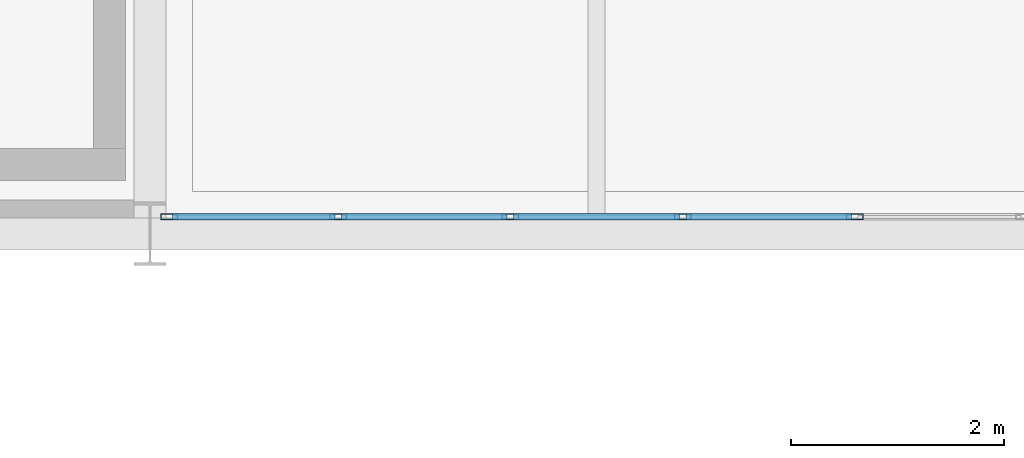
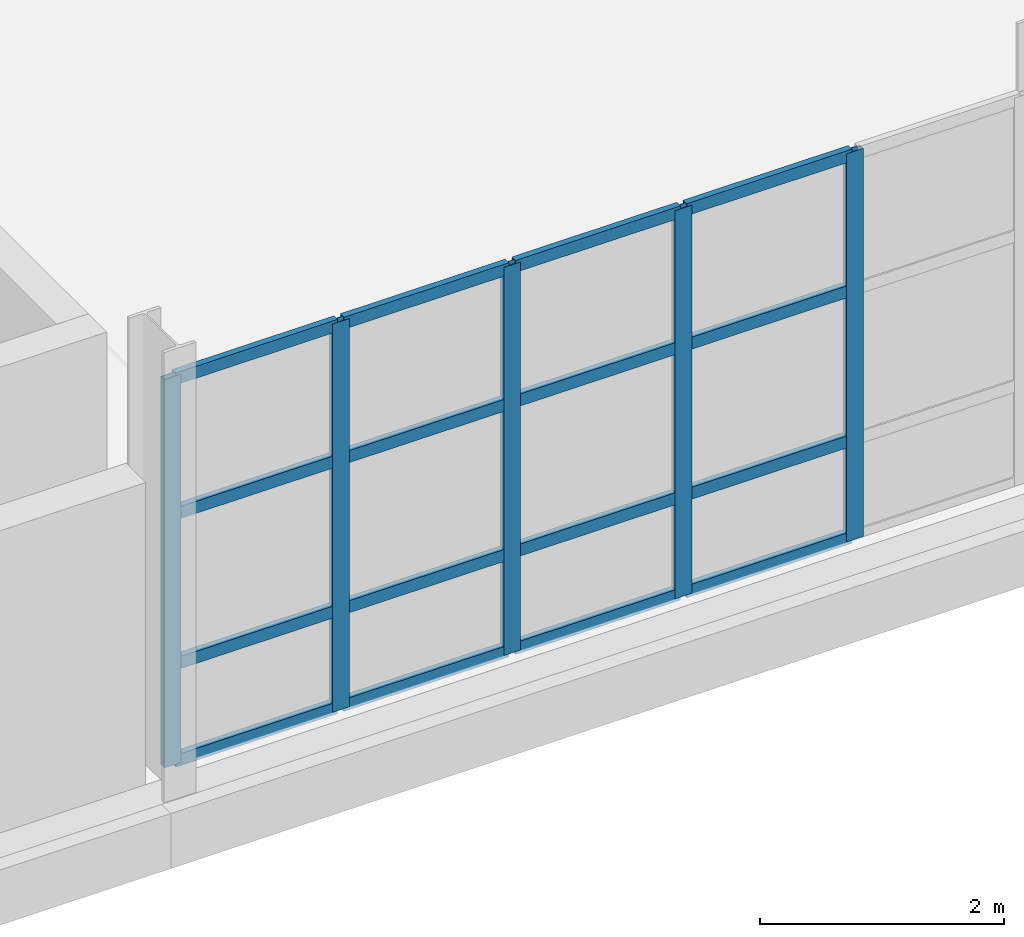
# One storey, part 51 of 130: 21 members, 1 element without a shape of its own.
"""IFC4 building model written with IfcOpenShell, lengths in metres."""

from ifc_helpers import new_model, si_unit, direction, frame, origin, origin_2d, place, context, subcontext, project, spatial, hollow_rectangle, extrude, material, material_profile, profile_set, type_object, element, aggregate, save


model = new_model("IFC4")

# Units and contexts
model_context = context("Model", 3, precision=1e-05, world=origin(), true_north=direction((0.0, 1.0)))
body_context = subcontext(model_context, "Body", "Model", "MODEL_VIEW")
ifc_project = project(units=[si_unit("LENGTHUNIT", "METRE"), si_unit("AREAUNIT", "SQUARE_METRE"), si_unit("VOLUMEUNIT", "CUBIC_METRE"), si_unit("PLANEANGLEUNIT", "RADIAN"), si_unit("MASSUNIT", "GRAM", prefix="KILO")], contexts=[model_context])

# Site, building, storey
site_placement = place(None, origin())
site = spatial("IfcSite", under=ifc_project, at=site_placement, CompositionType="ELEMENT")
building_placement = place(site_placement, origin())
building = spatial("IfcBuilding", under=site, at=building_placement, Name="Veltarok Museum of Natural Sciences", CompositionType="ELEMENT")
storey_placement = place(building_placement, frame((0.0, 0.0, 12.89990234375)))
storey = spatial("IfcBuildingStorey", under=building, at=storey_placement, Name="L02", CompositionType="ELEMENT", Elevation=12.89990234375)

# Curtain wall, members
ifc_material_1 = material(Name="Low-iron triple insulated glass", Category="glass")
curtain_wall_type = type_object("IfcCurtainWallType", Name="Curtain Wall System CW-V5S-L02-14-810x388 (V5 South Lab Curtain Wall L02 14-15 810x388cm)", PredefinedType="NOTDEFINED", material=ifc_material_1)
curtain_wall_placement = place(storey_placement, origin())
curtain_wall = element("IfcCurtainWall", 1, at=curtain_wall_placement, inside=storey, type_object=curtain_wall_type, Name="Curtain Wall CW-V5S-L02-14-810x388 CW-0092", PredefinedType="NOTDEFINED")
ifc_material_2 = material(Name="Thermally broken anodised aluminium", Category="aluminium")
ifc_material_profile_1 = material_profile(ifc_material_2, hollow_rectangle(XDim=0.06005859375, YDim=0.1201171875, WallThickness=0.0048828125, at=origin_2d()), Name="CW TRANSOM 60x120x5")
ifc_profile_set_1 = profile_set([ifc_material_profile_1], Name="Thermally broken anodised aluminium")
member_type_1 = type_object("IfcMemberType", Name="Curtain Wall Horizontal Transom 60x120x5", PredefinedType="USERDEFINED", material=ifc_profile_set_1)
member_1_placement = place(storey_placement, frame((115.81005859375, 0.159912109375, 0.030029296875), z_axis=(1.0, 0.0, 0.0), x_axis=(0.0, 1.0, 0.0)))
member_1 = element("IfcMember", 2, at=member_1_placement, type_object=member_type_1, Name="CW-V5S-L02-14-810x388 transom 1.1", ObjectType="TRANSOM", PredefinedType="USERDEFINED", context=body_context, shape_type="SweptSolid", body=[
    extrude(hollow_rectangle(XDim=0.06005859375, YDim=0.1201171875, WallThickness=0.0048828125, at=origin_2d()), origin(), (0.0, 0.0, 1.0), 1.530029296875),
])
member_2_placement = place(storey_placement, frame((115.81005859375, 0.159912109375, 1.0), z_axis=(1.0, 0.0, 0.0), x_axis=(0.0, 1.0, 0.0)))
member_2 = element("IfcMember", 3, at=member_2_placement, type_object=member_type_1, Name="CW-V5S-L02-14-810x388 transom 1.2", ObjectType="TRANSOM", PredefinedType="USERDEFINED", context=body_context, shape_type="SweptSolid", body=[
    extrude(hollow_rectangle(XDim=0.06005859375, YDim=0.1201171875, WallThickness=0.0048828125, at=origin_2d()), origin(), (0.0, 0.0, 1.0), 1.530029296875),
])
member_3_placement = place(storey_placement, frame((115.81005859375, 0.159912109375, 2.5), z_axis=(1.0, 0.0, 0.0), x_axis=(0.0, 1.0, 0.0)))
member_3 = element("IfcMember", 4, at=member_3_placement, type_object=member_type_1, Name="CW-V5S-L02-14-810x388 transom 1.3", ObjectType="TRANSOM", PredefinedType="USERDEFINED", context=body_context, shape_type="SweptSolid", body=[
    extrude(hollow_rectangle(XDim=0.06005859375, YDim=0.1201171875, WallThickness=0.0048828125, at=origin_2d()), origin(), (0.0, 0.0, 1.0), 1.530029296875),
])
member_4_placement = place(storey_placement, frame((115.81005859375, 0.159912109375, 3.85009765625), z_axis=(1.0, 0.0, 0.0), x_axis=(0.0, 1.0, 0.0)))
member_4 = element("IfcMember", 5, at=member_4_placement, type_object=member_type_1, Name="CW-V5S-L02-14-810x388 transom 1.4", ObjectType="TRANSOM", PredefinedType="USERDEFINED", context=body_context, shape_type="SweptSolid", body=[
    extrude(hollow_rectangle(XDim=0.06005859375, YDim=0.1201171875, WallThickness=0.0048828125, at=origin_2d()), origin(), (0.0, 0.0, 1.0), 1.530029296875),
])
member_5_placement = place(storey_placement, frame((117.39990234375, 0.159912109375, 0.030029296875), z_axis=(1.0, 0.0, 0.0), x_axis=(0.0, 1.0, 0.0)))
member_5 = element("IfcMember", 6, at=member_5_placement, type_object=member_type_1, Name="CW-V5S-L02-14-810x388 transom 2.1", ObjectType="TRANSOM", PredefinedType="USERDEFINED", context=body_context, shape_type="SweptSolid", body=[
    extrude(hollow_rectangle(XDim=0.06005859375, YDim=0.1201171875, WallThickness=0.0048828125, at=origin_2d()), origin(), (0.0, 0.0, 1.0), 1.56005859375),
])
member_6_placement = place(storey_placement, frame((117.39990234375, 0.159912109375, 1.0), z_axis=(1.0, 0.0, 0.0), x_axis=(0.0, 1.0, 0.0)))
member_6 = element("IfcMember", 7, at=member_6_placement, type_object=member_type_1, Name="CW-V5S-L02-14-810x388 transom 2.2", ObjectType="TRANSOM", PredefinedType="USERDEFINED", context=body_context, shape_type="SweptSolid", body=[
    extrude(hollow_rectangle(XDim=0.06005859375, YDim=0.1201171875, WallThickness=0.0048828125, at=origin_2d()), origin(), (0.0, 0.0, 1.0), 1.56005859375),
])
member_7_placement = place(storey_placement, frame((117.39990234375, 0.159912109375, 2.5), z_axis=(1.0, 0.0, 0.0), x_axis=(0.0, 1.0, 0.0)))
member_7 = element("IfcMember", 8, at=member_7_placement, type_object=member_type_1, Name="CW-V5S-L02-14-810x388 transom 2.3", ObjectType="TRANSOM", PredefinedType="USERDEFINED", context=body_context, shape_type="SweptSolid", body=[
    extrude(hollow_rectangle(XDim=0.06005859375, YDim=0.1201171875, WallThickness=0.0048828125, at=origin_2d()), origin(), (0.0, 0.0, 1.0), 1.56005859375),
])
member_8_placement = place(storey_placement, frame((117.39990234375, 0.159912109375, 3.85009765625), z_axis=(1.0, 0.0, 0.0), x_axis=(0.0, 1.0, 0.0)))
member_8 = element("IfcMember", 9, at=member_8_placement, type_object=member_type_1, Name="CW-V5S-L02-14-810x388 transom 2.4", ObjectType="TRANSOM", PredefinedType="USERDEFINED", context=body_context, shape_type="SweptSolid", body=[
    extrude(hollow_rectangle(XDim=0.06005859375, YDim=0.1201171875, WallThickness=0.0048828125, at=origin_2d()), origin(), (0.0, 0.0, 1.0), 1.56005859375),
])
member_9_placement = place(storey_placement, frame((119.02001953125, 0.159912109375, 0.030029296875), z_axis=(1.0, 0.0, 0.0), x_axis=(0.0, 1.0, 0.0)))
member_9 = element("IfcMember", 10, at=member_9_placement, type_object=member_type_1, Name="CW-V5S-L02-14-810x388 transom 3.1", ObjectType="TRANSOM", PredefinedType="USERDEFINED", context=body_context, shape_type="SweptSolid", body=[
    extrude(hollow_rectangle(XDim=0.06005859375, YDim=0.1201171875, WallThickness=0.0048828125, at=origin_2d()), origin(), (0.0, 0.0, 1.0), 1.56005859375),
])
member_10_placement = place(storey_placement, frame((119.02001953125, 0.159912109375, 1.0), z_axis=(1.0, 0.0, 0.0), x_axis=(0.0, 1.0, 0.0)))
member_10 = element("IfcMember", 11, at=member_10_placement, type_object=member_type_1, Name="CW-V5S-L02-14-810x388 transom 3.2", ObjectType="TRANSOM", PredefinedType="USERDEFINED", context=body_context, shape_type="SweptSolid", body=[
    extrude(hollow_rectangle(XDim=0.06005859375, YDim=0.1201171875, WallThickness=0.0048828125, at=origin_2d()), origin(), (0.0, 0.0, 1.0), 1.56005859375),
])
member_11_placement = place(storey_placement, frame((119.02001953125, 0.159912109375, 2.5), z_axis=(1.0, 0.0, 0.0), x_axis=(0.0, 1.0, 0.0)))
member_11 = element("IfcMember", 12, at=member_11_placement, type_object=member_type_1, Name="CW-V5S-L02-14-810x388 transom 3.3", ObjectType="TRANSOM", PredefinedType="USERDEFINED", context=body_context, shape_type="SweptSolid", body=[
    extrude(hollow_rectangle(XDim=0.06005859375, YDim=0.1201171875, WallThickness=0.0048828125, at=origin_2d()), origin(), (0.0, 0.0, 1.0), 1.56005859375),
])
member_12_placement = place(storey_placement, frame((119.02001953125, 0.159912109375, 3.85009765625), z_axis=(1.0, 0.0, 0.0), x_axis=(0.0, 1.0, 0.0)))
member_12 = element("IfcMember", 13, at=member_12_placement, type_object=member_type_1, Name="CW-V5S-L02-14-810x388 transom 3.4", ObjectType="TRANSOM", PredefinedType="USERDEFINED", context=body_context, shape_type="SweptSolid", body=[
    extrude(hollow_rectangle(XDim=0.06005859375, YDim=0.1201171875, WallThickness=0.0048828125, at=origin_2d()), origin(), (0.0, 0.0, 1.0), 1.56005859375),
])
member_13_placement = place(storey_placement, frame((120.639892578125, 0.159912109375, 0.030029296875), z_axis=(1.0, 0.0, 0.0), x_axis=(0.0, 1.0, 0.0)))
member_13 = element("IfcMember", 14, at=member_13_placement, type_object=member_type_1, Name="CW-V5S-L02-14-810x388 transom 4.1", ObjectType="TRANSOM", PredefinedType="USERDEFINED", context=body_context, shape_type="SweptSolid", body=[
    extrude(hollow_rectangle(XDim=0.06005859375, YDim=0.1201171875, WallThickness=0.0048828125, at=origin_2d()), origin(), (0.0, 0.0, 1.0), 1.56005859375),
])
member_14_placement = place(storey_placement, frame((120.639892578125, 0.159912109375, 1.0), z_axis=(1.0, 0.0, 0.0), x_axis=(0.0, 1.0, 0.0)))
member_14 = element("IfcMember", 15, at=member_14_placement, type_object=member_type_1, Name="CW-V5S-L02-14-810x388 transom 4.2", ObjectType="TRANSOM", PredefinedType="USERDEFINED", context=body_context, shape_type="SweptSolid", body=[
    extrude(hollow_rectangle(XDim=0.06005859375, YDim=0.1201171875, WallThickness=0.0048828125, at=origin_2d()), origin(), (0.0, 0.0, 1.0), 1.56005859375),
])
member_15_placement = place(storey_placement, frame((120.639892578125, 0.159912109375, 2.5), z_axis=(1.0, 0.0, 0.0), x_axis=(0.0, 1.0, 0.0)))
member_15 = element("IfcMember", 16, at=member_15_placement, type_object=member_type_1, Name="CW-V5S-L02-14-810x388 transom 4.3", ObjectType="TRANSOM", PredefinedType="USERDEFINED", context=body_context, shape_type="SweptSolid", body=[
    extrude(hollow_rectangle(XDim=0.06005859375, YDim=0.1201171875, WallThickness=0.0048828125, at=origin_2d()), origin(), (0.0, 0.0, 1.0), 1.56005859375),
])
member_16_placement = place(storey_placement, frame((120.639892578125, 0.159912109375, 3.85009765625), z_axis=(1.0, 0.0, 0.0), x_axis=(0.0, 1.0, 0.0)))
member_16 = element("IfcMember", 17, at=member_16_placement, type_object=member_type_1, Name="CW-V5S-L02-14-810x388 transom 4.4", ObjectType="TRANSOM", PredefinedType="USERDEFINED", context=body_context, shape_type="SweptSolid", body=[
    extrude(hollow_rectangle(XDim=0.06005859375, YDim=0.1201171875, WallThickness=0.0048828125, at=origin_2d()), origin(), (0.0, 0.0, 1.0), 1.56005859375),
])
ifc_material_profile_2 = material_profile(ifc_material_2, hollow_rectangle(XDim=0.06005859375, YDim=0.159912109375, WallThickness=0.0048828125, at=origin_2d()), Name="CW MULLION 60x160x5")
ifc_profile_set_2 = profile_set([ifc_material_profile_2], Name="Thermally broken anodised aluminium")
member_type_2 = type_object("IfcMemberType", Name="Curtain Wall Vertical Mullion 60x160x5", PredefinedType="MULLION", material=ifc_profile_set_2)
member_17_placement = place(storey_placement, frame((115.780029296875, 0.159912109375, 0.0), z_axis=(0.0, 0.0, 1.0), x_axis=(0.0, 1.0, 0.0)))
member_17 = element("IfcMember", 18, at=member_17_placement, type_object=member_type_2, Name="CW-V5S-L02-14-810x388 mullion 1", PredefinedType="MULLION", context=body_context, shape_type="SweptSolid", body=[
    extrude(hollow_rectangle(XDim=0.06005859375, YDim=0.159912109375, WallThickness=0.0048828125, at=origin_2d()), origin(), (0.0, 0.0, 1.0), 3.880126953125),
])
member_18_placement = place(storey_placement, frame((117.3701171875, 0.159912109375, 0.0), z_axis=(0.0, 0.0, 1.0), x_axis=(0.0, 1.0, 0.0)))
member_18 = element("IfcMember", 19, at=member_18_placement, type_object=member_type_2, Name="CW-V5S-L02-14-810x388 mullion 2", PredefinedType="MULLION", context=body_context, shape_type="SweptSolid", body=[
    extrude(hollow_rectangle(XDim=0.06005859375, YDim=0.159912109375, WallThickness=0.0048828125, at=origin_2d()), origin(), (0.0, 0.0, 1.0), 3.880126953125),
])
member_19_placement = place(storey_placement, frame((118.989990234375, 0.159912109375, 0.0), z_axis=(0.0, 0.0, 1.0), x_axis=(0.0, 1.0, 0.0)))
member_19 = element("IfcMember", 20, at=member_19_placement, type_object=member_type_2, Name="CW-V5S-L02-14-810x388 mullion 3", PredefinedType="MULLION", context=body_context, shape_type="SweptSolid", body=[
    extrude(hollow_rectangle(XDim=0.06005859375, YDim=0.159912109375, WallThickness=0.0048828125, at=origin_2d()), origin(), (0.0, 0.0, 1.0), 3.880126953125),
])
member_20_placement = place(storey_placement, frame((120.610107421875, 0.159912109375, 0.0), z_axis=(0.0, 0.0, 1.0), x_axis=(0.0, 1.0, 0.0)))
member_20 = element("IfcMember", 21, at=member_20_placement, type_object=member_type_2, Name="CW-V5S-L02-14-810x388 mullion 4", PredefinedType="MULLION", context=body_context, shape_type="SweptSolid", body=[
    extrude(hollow_rectangle(XDim=0.06005859375, YDim=0.159912109375, WallThickness=0.0048828125, at=origin_2d()), origin(), (0.0, 0.0, 1.0), 3.880126953125),
])
member_21_placement = place(storey_placement, frame((122.22998046875, 0.159912109375, 0.0), z_axis=(0.0, 0.0, 1.0), x_axis=(0.0, 1.0, 0.0)))
member_21 = element("IfcMember", 22, at=member_21_placement, type_object=member_type_2, Name="CW-V5S-L02-14-810x388 mullion 5", PredefinedType="MULLION", context=body_context, shape_type="SweptSolid", body=[
    extrude(hollow_rectangle(XDim=0.06005859375, YDim=0.159912109375, WallThickness=0.0048828125, at=origin_2d()), origin(), (0.0, 0.0, 1.0), 3.880126953125),
])
aggregate(curtain_wall, [member_17, member_18, member_19, member_20, member_21, member_1, member_2, member_3, member_4, member_5, member_6, member_7, member_8, member_9, member_10, member_11, member_12, member_13, member_14, member_15, member_16])

save(model, "model.ifc")
